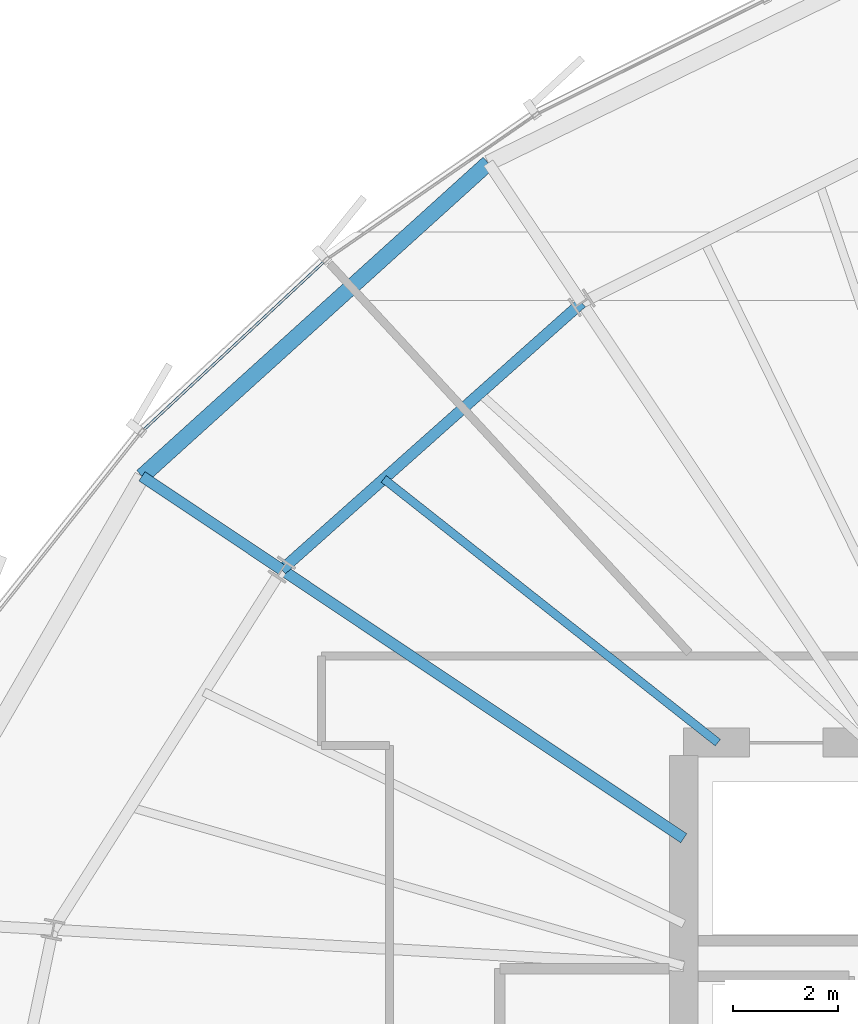
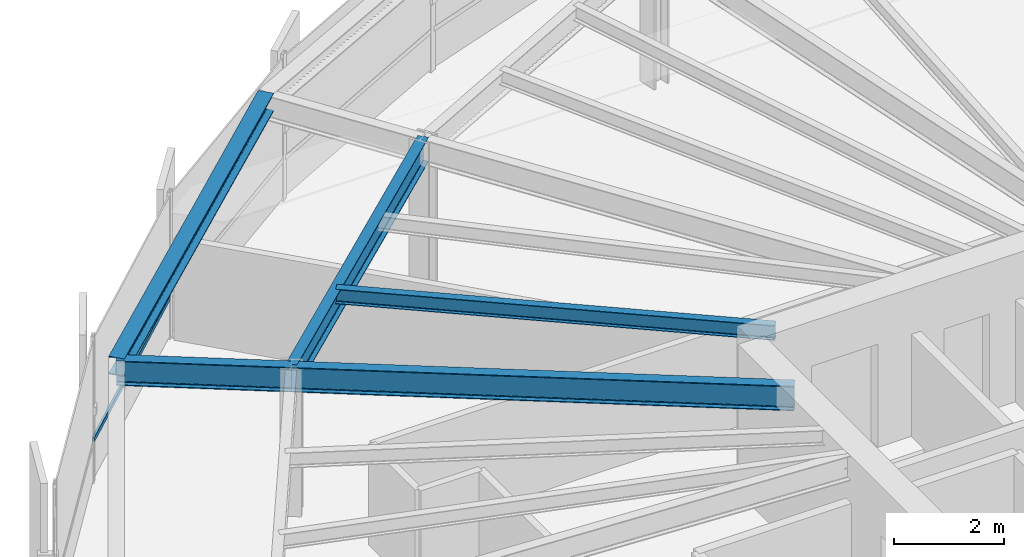
# One storey, part 18 of 32: 5 beams, 1 member, 1 element without a shape of its own.
"""IFC4 building model written with IfcOpenShell, lengths in metres."""

from ifc_helpers import new_model, si_unit, direction, frame, origin, origin_2d, place, context, subcontext, project, spatial, hollow_rectangle, i_section, extrude, source, transform, mapped, material, layer, layer_set, material_profile, profile_set, type_object, element, aggregate, save


model = new_model("IFC4")

# Units and contexts
model_context = context("Model", 3, precision=1e-05, world=origin(), true_north=direction((0.0, 1.0)))
body_context = subcontext(model_context, "Body", "Model", "MODEL_VIEW")
ifc_project = project(units=[si_unit("LENGTHUNIT", "METRE"), si_unit("AREAUNIT", "SQUARE_METRE"), si_unit("VOLUMEUNIT", "CUBIC_METRE"), si_unit("PLANEANGLEUNIT", "RADIAN"), si_unit("MASSUNIT", "GRAM", prefix="KILO"), si_unit("THERMODYNAMICTEMPERATUREUNIT", "KELVIN")], contexts=[model_context])

# Site, building, storey
site_placement = place(None, origin())
site = spatial("IfcSite", under=ifc_project, at=site_placement, CompositionType="ELEMENT")
building_placement = place(site_placement, origin())
building = spatial("IfcBuilding", under=site, at=building_placement, Name="Kethvar Cultural Tower", CompositionType="ELEMENT")
storey_placement = place(building_placement, frame((0.0, 0.0, 157.199951171875)))
storey = spatial("IfcBuildingStorey", under=building, at=storey_placement, Name="L40", CompositionType="ELEMENT", Elevation=157.199951171875)

# Beams
ifc_material_1 = material(Name="Steel S355J2", Category="steel")
ifc_material_profile_1 = material_profile(ifc_material_1, i_section(OverallWidth=0.2099609375, OverallDepth=0.550048828125, WebThickness=0.010986328125, FlangeThickness=0.01708984375, FilletRadius=0.02392578125, at=origin_2d()), Name="Steel S355J2 — IPE550")
ifc_profile_set_1 = profile_set([ifc_material_profile_1], Name="Steel S355J2 — IPE550")
beam_type_1 = type_object("IfcBeamType", Name="BM-IPE550", PredefinedType="BEAM", material=ifc_profile_set_1)
shared_shape_1 = source(origin(), body_context, "Body", "SweptSolid", [
    extrude(i_section(OverallWidth=0.2099609375, OverallDepth=0.550048828125, WebThickness=0.010986328125, FlangeThickness=0.01708984375, FilletRadius=0.02392578125, at=origin_2d()), origin(), (0.0, 0.0, 1.0), 3.199951171875),
])
beam_1_placement = place(storey_placement, frame((30.345947265625, 38.794189453125, 3.02294921875), z_axis=(-0.831462943996, 0.555580212716, 0.0), x_axis=(-0.555580212716, -0.831462943996, 0.0)))
element("IfcBeam", 1, at=beam_1_placement, inside=storey, type_object=beam_type_1, Name="L40 Perimeter Cantilever Beam RC-07", PredefinedType="BEAM", context=body_context, shape_type="MappedRepresentation", body=[
    mapped(shared_shape_1, transform((0.0, 0.0, 0.0), scale=1.0)),
])
shared_shape_2 = source(origin(), body_context, "Body", "SweptSolid", [
    extrude(i_section(OverallWidth=0.2099609375, OverallDepth=0.550048828125, WebThickness=0.010986328125, FlangeThickness=0.01708984375, FilletRadius=0.02392578125, at=origin_2d()), origin(), (0.0, 0.0, 1.0), 9.205322265625),
])
beam_2_placement = place(storey_placement, frame((38.0, 33.679931640625, 3.02294921875), z_axis=(-0.831470451236, 0.555568977465, 0.0), x_axis=(-0.555568977465, -0.831470451236, 0.0)))
element("IfcBeam", 2, at=beam_2_placement, inside=storey, type_object=beam_type_1, Name="L40 Primary Radial Beam RB-07", PredefinedType="BEAM", context=body_context, shape_type="MappedRepresentation", body=[
    mapped(shared_shape_2, transform((0.0, 0.0, 0.0), scale=1.0)),
])
shared_shape_3 = source(origin(), body_context, "Body", "SweptSolid", [
    extrude(i_section(OverallWidth=0.2099609375, OverallDepth=0.550048828125, WebThickness=0.010986328125, FlangeThickness=0.01708984375, FilletRadius=0.02392578125, at=origin_2d()), origin(), (0.0, 0.0, 1.0), 7.64599609375),
])
beam_3_placement = place(storey_placement, frame((36.0576171875, 43.877197265625, 3.02294921875), z_axis=(-0.747021617367, -0.66479974668, 0.0), x_axis=(0.66479974668, -0.747021617367, 0.0)))
element("IfcBeam", 3, at=beam_3_placement, inside=storey, type_object=beam_type_1, Name="L40 Column Ring Tie Beam CR-06", PredefinedType="BEAM", context=body_context, shape_type="MappedRepresentation", body=[
    mapped(shared_shape_3, transform((0.0, 0.0, 0.0), scale=1.0)),
])
ifc_material_profile_2 = material_profile(ifc_material_1, i_section(OverallWidth=0.159912109375, OverallDepth=0.330078125, WebThickness=0.007568359375, FlangeThickness=0.011474609375, FilletRadius=0.01806640625, at=origin_2d()), Name="Steel S355J2 — IPE330")
ifc_profile_set_2 = profile_set([ifc_material_profile_2], Name="Steel S355J2 — IPE330")
beam_type_2 = type_object("IfcBeamType", Name="BM-J330", PredefinedType="JOIST", material=ifc_profile_set_2)
shared_shape_4 = source(origin(), body_context, "Body", "SweptSolid", [
    extrude(i_section(OverallWidth=0.159912109375, OverallDepth=0.330078125, WebThickness=0.007568359375, FlangeThickness=0.011474609375, FilletRadius=0.01806640625, at=origin_2d()), origin(), (0.0, 0.0, 1.0), 8.105712890625),
])
beam_4_placement = place(storey_placement, frame((38.64990234375, 35.5, 3.133056640625), z_axis=(-0.784895872164, 0.619627686486, 0.0), x_axis=(-0.619627686486, -0.784895872164, 0.0)))
element("IfcBeam", 4, at=beam_4_placement, inside=storey, type_object=beam_type_2, Name="L40 Composite Floor Joist J-06B", PredefinedType="JOIST", context=body_context, shape_type="MappedRepresentation", body=[
    mapped(shared_shape_4, transform((0.0, 0.0, 0.0), scale=1.0)),
])
ifc_material_profile_3 = material_profile(ifc_material_1, i_section(OverallWidth=0.300048828125, OverallDepth=0.39990234375, WebThickness=0.013427734375, FlangeThickness=0.02392578125, FilletRadius=0.027099609375, at=origin_2d()), Name="Steel S355J2 — HEB400")
ifc_profile_set_3 = profile_set([ifc_material_profile_3], Name="Steel S355J2 — HEB400")
beam_type_3 = type_object("IfcBeamType", Name="BM-SP400", PredefinedType="SPANDREL", material=ifc_profile_set_3)
shared_shape_5 = source(origin(), body_context, "Body", "SweptSolid", [
    extrude(i_section(OverallWidth=0.300048828125, OverallDepth=0.39990234375, WebThickness=0.013427734375, FlangeThickness=0.02392578125, FilletRadius=0.027099609375, at=origin_2d()), origin(), (0.0, 0.0, 1.0), 8.892822265625),
])
beam_5_placement = place(storey_placement, frame((34.27978515625, 46.5380859375, 3.09814453125), z_axis=(-0.741556591679, -0.670890319901, 0.0), x_axis=(0.670890319901, -0.741556591679, 0.0)))
element("IfcBeam", 5, at=beam_5_placement, inside=storey, type_object=beam_type_3, Name="L40 Perimeter Spandrel Beam SP-06", PredefinedType="SPANDREL", context=body_context, shape_type="MappedRepresentation", body=[
    mapped(shared_shape_5, transform((0.0, 0.0, 0.0), scale=1.0)),
])

# Curtain wall, member
ifc_material_2 = material(Name="Aluminium 6063-T6", Category="aluminium")
ifc_layer = layer(ifc_material_2, 0.179931640625, Name="Aluminium 6063-T6", Category="aluminium")
ifc_layer_set = layer_set([ifc_layer], Name="Aluminium 6063-T6 (180 mm)")
curtain_wall_type = type_object("IfcCurtainWallType", Name="CW-SYS-04-Z34", PredefinedType="NOTDEFINED", material=ifc_layer_set)
curtain_wall_placement = place(storey_placement, origin())
curtain_wall = element("IfcCurtainWall", 6, at=curtain_wall_placement, inside=storey, type_object=curtain_wall_type, Name="L40 Curtain Wall Run 02", PredefinedType="NOTDEFINED")
ifc_material_profile_4 = material_profile(ifc_material_2, hollow_rectangle(XDim=0.050048828125, YDim=0.10009765625, WallThickness=0.00390625, at=origin_2d()), Name="Aluminium 6063-T6 — RHS100x50x4")
ifc_profile_set_4 = profile_set([ifc_material_profile_4], Name="Aluminium 6063-T6 — RHS100x50x4")
member_type = type_object("IfcMemberType", Name="CW-SYS-04-Z34-TRN", PredefinedType="USERDEFINED", material=ifc_profile_set_4)
shared_shape_6 = source(origin(), body_context, "Body", "SweptSolid", [
    extrude(hollow_rectangle(XDim=0.050048828125, YDim=0.10009765625, WallThickness=0.00390625, at=origin_2d()), origin(), (0.0, 0.0, 1.0), 4.738525390625),
])
member_placement = place(storey_placement, frame((31.157958984375, 44.6650390625, 0.949951171875), z_axis=(-0.731480042909, -0.681862850451, 0.0), x_axis=(0.681862850451, -0.731480042909, 0.0)))
member = element("IfcMember", 7, at=member_placement, type_object=member_type, Name="CW-L40-R02 Transom 5", ObjectType="TRANSOM", PredefinedType="USERDEFINED", context=body_context, shape_type="MappedRepresentation", body=[
    mapped(shared_shape_6, transform((0.0, 0.0, 0.0), scale=1.0)),
])
aggregate(curtain_wall, [member])

save(model, "model.ifc")
